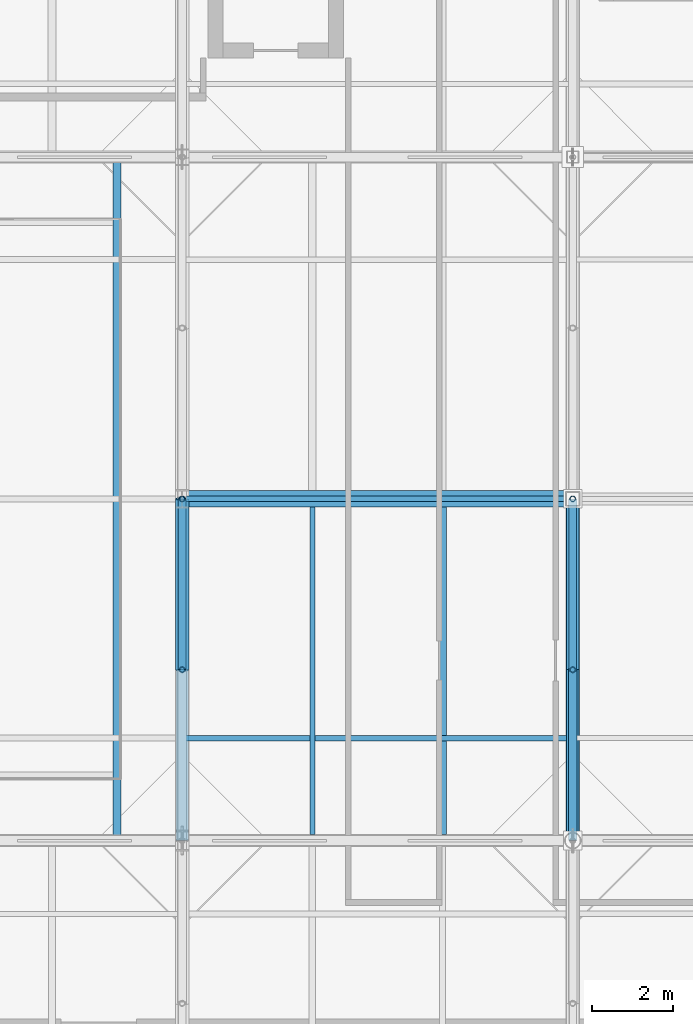
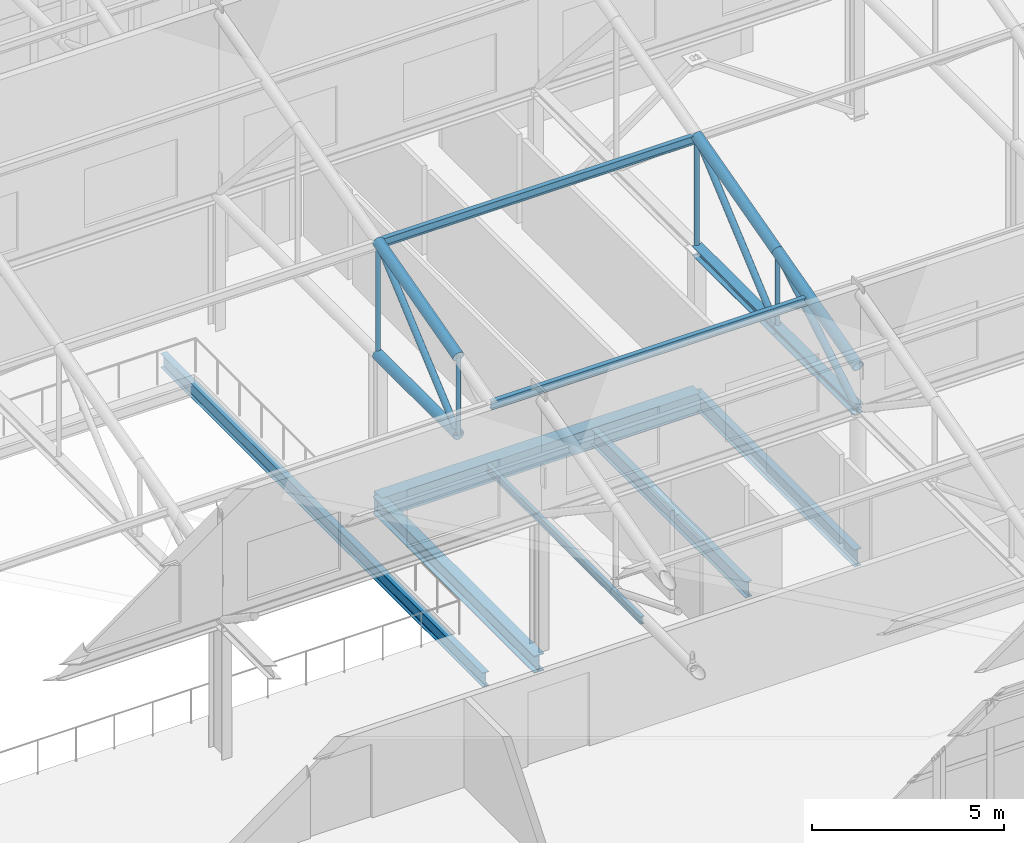
# One storey, part 28 of 89: 15 members, 6 beams.
"""IFC4 building model written with IfcOpenShell, lengths in metres."""

from ifc_helpers import new_model, si_unit, direction, frame, origin, origin_2d, place, context, subcontext, project, spatial, rectangle, hollow_circle, i_section, extrude, material, material_profile, profile_set, type_object, element, save


model = new_model("IFC4")

# Units and contexts
model_context = context("Model", 3, precision=1e-05, world=origin(), true_north=direction((0.0, 1.0)))
body_context = subcontext(model_context, "Body", "Model", "MODEL_VIEW")
ifc_project = project(units=[si_unit("LENGTHUNIT", "METRE"), si_unit("AREAUNIT", "SQUARE_METRE"), si_unit("VOLUMEUNIT", "CUBIC_METRE"), si_unit("PLANEANGLEUNIT", "RADIAN"), si_unit("MASSUNIT", "GRAM", prefix="KILO")], contexts=[model_context])

# Site, building, storey
site_placement = place(None, origin())
site = spatial("IfcSite", under=ifc_project, at=site_placement, CompositionType="ELEMENT")
building_placement = place(site_placement, origin())
building = spatial("IfcBuilding", under=site, at=building_placement, Name="Zereglee Splitstone Museum", CompositionType="ELEMENT")
storey_placement = place(building_placement, frame((0.0, 0.0, 21.300048828125)))
storey = spatial("IfcBuildingStorey", under=building, at=storey_placement, Name="L04", CompositionType="ELEMENT", Elevation=21.300048828125)

# Beam
ifc_material_1 = material(Name="Concrete C40/50", Category="concrete")
ifc_material_profile_1 = material_profile(ifc_material_1, rectangle(XDim=0.39990234375, YDim=0.64990234375, at=origin_2d()), Name="RC 400x650")
ifc_profile_set_1 = profile_set([ifc_material_profile_1], Name="Concrete C40/50")
beam_type_1 = type_object("IfcBeamType", Name="BG-04", PredefinedType="BEAM", material=ifc_profile_set_1)
beam_1_placement = place(storey_placement, frame((116.39990234375, 30.0, -0.5849609375), z_axis=(1.0, 0.0, 0.0), x_axis=(0.0, 1.0, 0.0)))
element("IfcBeam", 1, at=beam_1_placement, inside=storey, type_object=beam_type_1, Name="Primary Girder L04 D (116.4-126.0)", PredefinedType="BEAM", context=body_context, shape_type="SweptSolid", body=[
    extrude(rectangle(XDim=0.39990234375, YDim=0.64990234375, at=origin_2d()), origin(), (0.0, 0.0, 1.0), 9.60009765625),
])

# Members
ifc_material_2 = material(Name="Steel S355J2H", Category="steel")
ifc_material_profile_2 = material_profile(ifc_material_2, hollow_circle(Radius=0.096923828125, WallThickness=0.010009765625, at=origin_2d()), Name="CHS 193.7x10")
ifc_profile_set_2 = profile_set([ifc_material_profile_2], Name="Steel S355J2H")
member_type_1 = type_object("IfcMemberType", Name="TB-04", PredefinedType="BRACE", material=ifc_profile_set_2)
for number, where, z_axis, x_axis, name in (
    (2, (116.39990234375, 25.800048828125, 4.199951171875), (0.0, 0.759244140748, 0.650805911728), (-1.0, 0.0, 0.0), "Roof Truss ST-05 Diagonal 2.2"),
    (3, (126.0, 25.800048828125, 4.199951171875), (0.0, 0.759244140748, 0.650805911728), (-1.0, 0.0, 0.0), "Roof Truss ST-06 Diagonal 2.2"),
):
    element("IfcMember", number, at=place(storey_placement, frame(where, z_axis=z_axis, x_axis=x_axis)), inside=storey, type_object=member_type_1, Name=name, PredefinedType="BRACE", context=body_context, shape_type="SweptSolid", body=[
        extrude(hollow_circle(Radius=0.096923828125, WallThickness=0.010009765625, at=origin_2d()), origin(), (0.0, 0.0, 1.0), 5.53173828125),
    ])
ifc_material_profile_3 = material_profile(ifc_material_2, hollow_circle(Radius=0.109619140625, WallThickness=0.010009765625, at=origin_2d()), Name="CHS 219.1x10")
ifc_profile_set_3 = profile_set([ifc_material_profile_3], Name="Steel S355J2H")
member_type_2 = type_object("IfcMemberType", Name="TB-03", PredefinedType="BRACE", material=ifc_profile_set_3)
member_1_placement = place(storey_placement, frame((126.0, 21.60009765625, 4.199951171875), z_axis=(0.0, 0.861527117747, 0.50771155727), x_axis=(-1.0, 0.0, 0.0)))
element("IfcMember", 4, at=member_1_placement, inside=storey, type_object=member_type_2, Name="Roof Truss ST-06 Diagonal 2.1", PredefinedType="BRACE", context=body_context, shape_type="SweptSolid", body=[
    extrude(hollow_circle(Radius=0.109619140625, WallThickness=0.010009765625, at=origin_2d()), origin(), (0.0, 0.0, 1.0), 4.875),
])
ifc_material_profile_4 = material_profile(ifc_material_2, hollow_circle(Radius=0.161865234375, WallThickness=0.01611328125, at=origin_2d()), Name="CHS 323.9x16")
ifc_profile_set_4 = profile_set([ifc_material_profile_4], Name="Steel S355J2H")
member_type_3 = type_object("IfcMemberType", Name="TC-05", PredefinedType="CHORD", material=ifc_profile_set_4)
member_2_placement = place(storey_placement, frame((116.39990234375, 25.800048828125, 4.199951171875), z_axis=(0.0, 1.0, 0.0), x_axis=(-1.0, 0.0, 0.0)))
element("IfcMember", 5, at=member_2_placement, inside=storey, type_object=member_type_3, Name="Roof Truss ST-05 Bottom Chord 2.2", PredefinedType="CHORD", context=body_context, shape_type="SweptSolid", body=[
    extrude(hollow_circle(Radius=0.161865234375, WallThickness=0.01611328125, at=origin_2d()), origin(), (0.0, 0.0, 1.0), 4.199951171875),
])
for number, where, z_axis, x_axis, name in (
    (6, (116.39990234375, 25.800048828125, 6.675048828125), (0.0, 0.965947299715, 0.258738891884), (-1.0, 0.0, 0.0), "Roof Truss ST-05 Top Chord 2.2"),
    (7, (126.0, 21.60009765625, 5.550048828125), (0.0, 0.965947299715, 0.258738891884), (-1.0, 0.0, 0.0), "Roof Truss ST-06 Top Chord 2.1"),
    (8, (126.0, 25.800048828125, 6.675048828125), (0.0, 0.965947299715, 0.258738891884), (-1.0, 0.0, 0.0), "Roof Truss ST-06 Top Chord 2.2"),
):
    element("IfcMember", number, at=place(storey_placement, frame(where, z_axis=z_axis, x_axis=x_axis)), inside=storey, type_object=member_type_3, Name=name, PredefinedType="CHORD", context=body_context, shape_type="SweptSolid", body=[
        extrude(hollow_circle(Radius=0.161865234375, WallThickness=0.01611328125, at=origin_2d()), origin(), (0.0, 0.0, 1.0), 4.347900390625),
    ])
ifc_material_3 = material(Name="Steel S355J2", Category="steel")
ifc_material_profile_5 = material_profile(ifc_material_3, i_section(OverallWidth=0.300048828125, OverallDepth=0.300048828125, WebThickness=0.010986328125, FlangeThickness=0.01904296875, FilletRadius=0.027099609375, at=origin_2d()), Name="HE 300 B")
ifc_profile_set_5 = profile_set([ifc_material_profile_5], Name="Steel S355J2")
member_type_4 = type_object("IfcMemberType", Name="TC-07", PredefinedType="CHORD", material=ifc_profile_set_5)
for number, where, z_axis, x_axis, name in (
    (9, (126.0, 21.60009765625, 4.199951171875), (0.0, 1.0, 0.0), (-1.0, 0.0, 0.0), "Roof Truss ST-06 Bottom Chord 2.1"),
    (10, (126.0, 25.800048828125, 4.199951171875), (0.0, 1.0, 0.0), (-1.0, 0.0, 0.0), "Roof Truss ST-06 Bottom Chord 2.2"),
):
    element("IfcMember", number, at=place(storey_placement, frame(where, z_axis=z_axis, x_axis=x_axis)), inside=storey, type_object=member_type_4, Name=name, PredefinedType="CHORD", context=body_context, shape_type="SweptSolid", body=[
        extrude(i_section(OverallWidth=0.300048828125, OverallDepth=0.300048828125, WebThickness=0.010986328125, FlangeThickness=0.01904296875, FilletRadius=0.027099609375, at=origin_2d()), origin(), (0.0, 0.0, 1.0), 4.199951171875),
    ])

# Beams
ifc_material_profile_6 = material_profile(ifc_material_3, i_section(OverallWidth=0.300048828125, OverallDepth=0.550048828125, WebThickness=0.014892578125, FlangeThickness=0.029052734375, FilletRadius=0.027099609375, at=origin_2d()), Name="HE 550 B")
ifc_profile_set_6 = profile_set([ifc_material_profile_6], Name="Steel S355J2")
beam_type_2 = type_object("IfcBeamType", Name="BG-11", PredefinedType="BEAM", material=ifc_profile_set_6)
beam_2_placement = place(storey_placement, frame((116.39990234375, 21.60009765625, -0.53515625), z_axis=(0.0, 1.0, 0.0), x_axis=(-1.0, 0.0, 0.0)))
element("IfcBeam", 11, at=beam_2_placement, inside=storey, type_object=beam_type_2, Name="Primary Girder L04 14 (21.6-30.0)", PredefinedType="BEAM", context=body_context, shape_type="SweptSolid", body=[
    extrude(i_section(OverallWidth=0.300048828125, OverallDepth=0.550048828125, WebThickness=0.014892578125, FlangeThickness=0.029052734375, FilletRadius=0.027099609375, at=origin_2d()), origin(), (0.0, 0.0, 1.0), 8.39990234375),
])
ifc_material_profile_7 = material_profile(ifc_material_3, i_section(OverallWidth=0.2099609375, OverallDepth=0.550048828125, WebThickness=0.010986328125, FlangeThickness=0.01708984375, FilletRadius=0.02392578125, at=origin_2d()), Name="IPE 550")
ifc_profile_set_7 = profile_set([ifc_material_profile_7], Name="Steel S355J2")
beam_type_3 = type_object("IfcBeamType", Name="BG-16", PredefinedType="BEAM", material=ifc_profile_set_7)
beam_3_placement = place(storey_placement, frame((126.0, 21.60009765625, -0.53515625), z_axis=(0.0, 1.0, 0.0), x_axis=(-1.0, 0.0, 0.0)))
element("IfcBeam", 12, at=beam_3_placement, inside=storey, type_object=beam_type_3, Name="Primary Girder L04 15 (21.6-30.0)", PredefinedType="BEAM", context=body_context, shape_type="SweptSolid", body=[
    extrude(i_section(OverallWidth=0.2099609375, OverallDepth=0.550048828125, WebThickness=0.010986328125, FlangeThickness=0.01708984375, FilletRadius=0.02392578125, at=origin_2d()), origin(), (0.0, 0.0, 1.0), 8.39990234375),
])
ifc_material_profile_8 = material_profile(ifc_material_3, i_section(OverallWidth=0.1201171875, OverallDepth=0.239990234375, WebThickness=0.006103515625, FlangeThickness=0.009765625, FilletRadius=0.014892578125, at=origin_2d()), Name="IPE 240")
ifc_profile_set_8 = profile_set([ifc_material_profile_8], Name="Steel S355J2")
beam_type_4 = type_object("IfcBeamType", Name="BJ-07", PredefinedType="JOIST", material=ifc_profile_set_8)
beam_4_placement = place(storey_placement, frame((119.60009765625, 21.75, -0.380126953125), z_axis=(0.0, 1.0, 0.0), x_axis=(-1.0, 0.0, 0.0)))
element("IfcBeam", 13, at=beam_4_placement, inside=storey, type_object=beam_type_4, Name="Secondary Floor Joist L04-1532", PredefinedType="JOIST", context=body_context, shape_type="SweptSolid", body=[
    extrude(i_section(OverallWidth=0.1201171875, OverallDepth=0.239990234375, WebThickness=0.006103515625, FlangeThickness=0.009765625, FilletRadius=0.014892578125, at=origin_2d()), origin(), (0.0, 0.0, 1.0), 8.050048828125),
])
ifc_material_profile_9 = material_profile(ifc_material_3, i_section(OverallWidth=0.18994140625, OverallDepth=0.449951171875, WebThickness=0.009521484375, FlangeThickness=0.0146484375, FilletRadius=0.02099609375, at=origin_2d()), Name="IPE 450")
ifc_profile_set_9 = profile_set([ifc_material_profile_9], Name="Steel S355J2")
beam_type_5 = type_object("IfcBeamType", Name="BJ-02", PredefinedType="JOIST", material=ifc_profile_set_9)
beam_5_placement = place(storey_placement, frame((114.800048828125, 21.60009765625, -0.485107421875), z_axis=(0.0, 1.0, 0.0), x_axis=(-1.0, 0.0, 0.0)))
element("IfcBeam", 14, at=beam_5_placement, inside=storey, type_object=beam_type_5, Name="Atrium Edge Beam L04 E", PredefinedType="JOIST", context=body_context, shape_type="SweptSolid", body=[
    extrude(i_section(OverallWidth=0.18994140625, OverallDepth=0.449951171875, WebThickness=0.009521484375, FlangeThickness=0.0146484375, FilletRadius=0.02099609375, at=origin_2d()), origin(), (0.0, 0.0, 1.0), 16.7998046875),
])
ifc_material_profile_10 = material_profile(ifc_material_3, i_section(OverallWidth=0.199951171875, OverallDepth=0.5, WebThickness=0.01025390625, FlangeThickness=0.01611328125, FilletRadius=0.02099609375, at=origin_2d()), Name="IPE 500")
ifc_profile_set_10 = profile_set([ifc_material_profile_10], Name="Steel S355J2")
beam_type_6 = type_object("IfcBeamType", Name="BJ-01", PredefinedType="JOIST", material=ifc_profile_set_10)
beam_6_placement = place(storey_placement, frame((122.800048828125, 21.75, -0.510009765625), z_axis=(0.0, 1.0, 0.0), x_axis=(-1.0, 0.0, 0.0)))
element("IfcBeam", 15, at=beam_6_placement, inside=storey, type_object=beam_type_6, Name="Secondary Floor Joist L04-1533", PredefinedType="JOIST", context=body_context, shape_type="SweptSolid", body=[
    extrude(i_section(OverallWidth=0.199951171875, OverallDepth=0.5, WebThickness=0.01025390625, FlangeThickness=0.01611328125, FilletRadius=0.02099609375, at=origin_2d()), origin(), (0.0, 0.0, 1.0), 8.050048828125),
])

# Members
ifc_material_profile_11 = material_profile(ifc_material_2, hollow_circle(Radius=0.06982421875, WallThickness=0.008056640625, at=origin_2d()), Name="CHS 139.7x8")
ifc_profile_set_11 = profile_set([ifc_material_profile_11], Name="Steel S355J2H")
member_type_5 = type_object("IfcMemberType", Name="TP-03", PredefinedType="POST", material=ifc_profile_set_11)
member_3_placement = place(storey_placement, frame((116.39990234375, 25.800048828125, 4.199951171875), z_axis=(0.0, 0.0, 1.0), x_axis=(1.0, 0.0, 0.0)))
element("IfcMember", 16, at=member_3_placement, inside=storey, type_object=member_type_5, Name="Roof Truss ST-05 Post 2.1", PredefinedType="POST", context=body_context, shape_type="SweptSolid", body=[
    extrude(hollow_circle(Radius=0.06982421875, WallThickness=0.008056640625, at=origin_2d()), origin(), (0.0, 0.0, 1.0), 2.47509765625),
])
member_4_placement = place(storey_placement, frame((116.39990234375, 30.0, 4.199951171875), z_axis=(0.0, 0.0, 1.0), x_axis=(1.0, 0.0, 0.0)))
element("IfcMember", 17, at=member_4_placement, inside=storey, type_object=member_type_5, Name="Roof Truss ST-05 Post 2.2", PredefinedType="POST", context=body_context, shape_type="SweptSolid", body=[
    extrude(hollow_circle(Radius=0.06982421875, WallThickness=0.008056640625, at=origin_2d()), origin(), (0.0, 0.0, 1.0), 3.60009765625),
])
member_5_placement = place(storey_placement, frame((126.0, 25.800048828125, 4.199951171875), z_axis=(0.0, 0.0, 1.0), x_axis=(1.0, 0.0, 0.0)))
element("IfcMember", 18, at=member_5_placement, inside=storey, type_object=member_type_5, Name="Roof Truss ST-06 Post 2.1", PredefinedType="POST", context=body_context, shape_type="SweptSolid", body=[
    extrude(hollow_circle(Radius=0.06982421875, WallThickness=0.008056640625, at=origin_2d()), origin(), (0.0, 0.0, 1.0), 2.47509765625),
])
member_6_placement = place(storey_placement, frame((126.0, 30.0, 4.199951171875), z_axis=(0.0, 0.0, 1.0), x_axis=(1.0, 0.0, 0.0)))
element("IfcMember", 19, at=member_6_placement, inside=storey, type_object=member_type_5, Name="Roof Truss ST-06 Post 2.2", PredefinedType="POST", context=body_context, shape_type="SweptSolid", body=[
    extrude(hollow_circle(Radius=0.06982421875, WallThickness=0.008056640625, at=origin_2d()), origin(), (0.0, 0.0, 1.0), 3.60009765625),
])
ifc_material_profile_12 = material_profile(ifc_material_3, i_section(OverallWidth=0.135009765625, OverallDepth=0.27001953125, WebThickness=0.006591796875, FlangeThickness=0.01025390625, FilletRadius=0.014892578125, at=origin_2d()), Name="IPE 270")
ifc_profile_set_12 = profile_set([ifc_material_profile_12], Name="Steel S355J2")
member_type_6 = type_object("IfcMemberType", Name="PR-02", PredefinedType="PURLIN", material=ifc_profile_set_12)
for number, where, z_axis, x_axis, name in (
    (20, (116.39990234375, 24.1201171875, 6.16357421875), (1.0, 0.0, 0.0), (0.0, 1.0, 0.0), "Sawtooth Roof Purlin B5-S2-1"),
    (21, (116.39990234375, 30.0, 7.738525390625), (1.0, 0.0, 0.0), (0.0, 1.0, 0.0), "Sawtooth Roof Purlin B5-S2-2"),
):
    element("IfcMember", number, at=place(storey_placement, frame(where, z_axis=z_axis, x_axis=x_axis)), inside=storey, type_object=member_type_6, Name=name, PredefinedType="PURLIN", context=body_context, shape_type="SweptSolid", body=[
        extrude(i_section(OverallWidth=0.135009765625, OverallDepth=0.27001953125, WebThickness=0.006591796875, FlangeThickness=0.01025390625, FilletRadius=0.014892578125, at=origin_2d()), origin(), (0.0, 0.0, 1.0), 9.60009765625),
    ])

save(model, "model.ifc")
